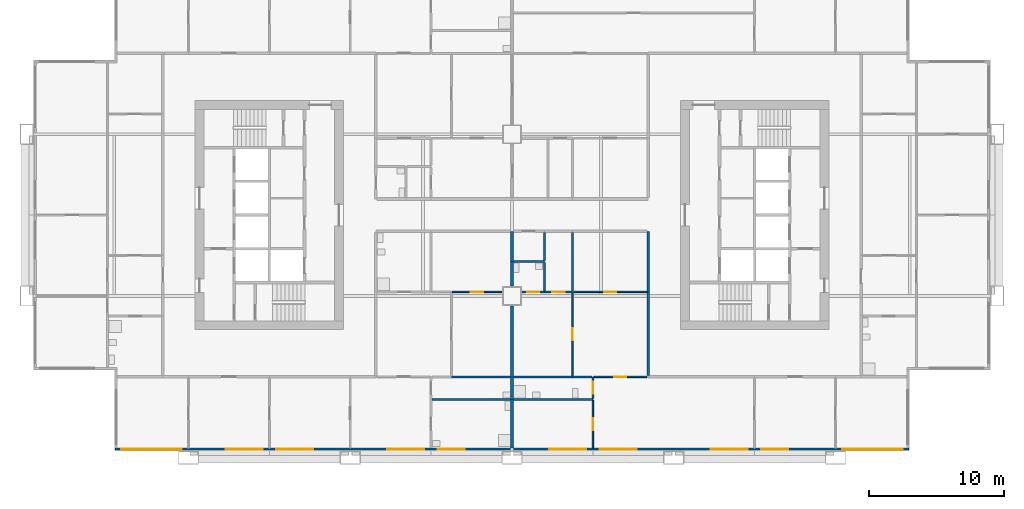
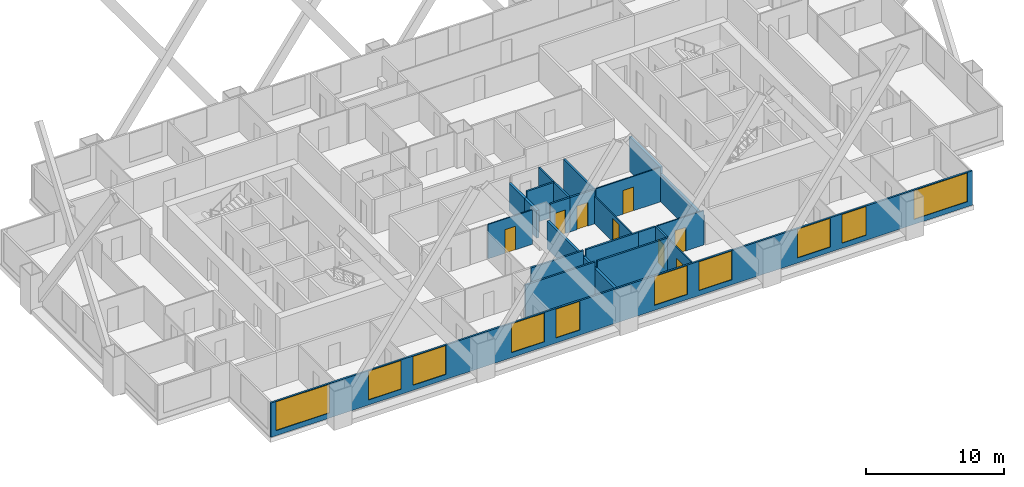
# One storey, part 5 of 11: 25 walls, 10 windows, 8 doors, 18 openings.
"""IFC4 building model written with IfcOpenShell, lengths in metres."""

from ifc_helpers import new_model, si_unit, direction, frame, frame_2d, origin, place, context, subcontext, project, spatial, rectangle, extrude, material, layer, layer_set, type_object, element, fill, save


model = new_model("IFC4")

# Units and contexts
model_context = context("Model", 3, precision=1e-05, world=origin(), true_north=direction((0.0, 1.0)))
body_context = subcontext(model_context, "Body", "Model", "MODEL_VIEW")
ifc_project = project(units=[si_unit("LENGTHUNIT", "METRE"), si_unit("AREAUNIT", "SQUARE_METRE"), si_unit("VOLUMEUNIT", "CUBIC_METRE"), si_unit("PLANEANGLEUNIT", "RADIAN"), si_unit("MASSUNIT", "GRAM", prefix="KILO")], contexts=[model_context])

# Site, building, storey
site_placement = place(None, origin())
site = spatial("IfcSite", under=ifc_project, at=site_placement, CompositionType="ELEMENT")
building_placement = place(site_placement, origin())
building = spatial("IfcBuilding", under=site, at=building_placement, Name="Kitamizu Gate Tower and Museum", CompositionType="ELEMENT")
storey_placement = place(building_placement, frame((0.0, 0.0, 96.60009765625)))
storey = spatial("IfcBuildingStorey", under=building, at=storey_placement, Name="L24", CompositionType="ELEMENT", Elevation=96.60009765625)

# Wall, opening, door
ifc_material_1 = material(Name="Gypsum board on galvanised stud")
ifc_layer_1 = layer(ifc_material_1, 0.10009765625)
ifc_layer_set_1 = layer_set([ifc_layer_1], Name="Gypsum board on galvanised stud")
wall_type_1 = type_object("IfcWallType", Name="Partition 100 NOT RATED", PredefinedType="PARTITIONING", material=ifc_layer_set_1)
wall_1_placement = place(storey_placement, frame((35.25, 24.300048828125, 0.0), z_axis=(0.0, 0.0, 1.0), x_axis=(-1.0, 0.0, 0.0)))
wall_1 = element("IfcWall", 1, at=wall_1_placement, inside=storey, type_object=wall_type_1, Name="Partition L24-022", PredefinedType="PARTITIONING", context=body_context, shape_type="SweptSolid", body=[
    extrude(rectangle(XDim=3.699951171875, YDim=0.10009765625, at=frame_2d((1.85009765625, 0.0))), origin(), (0.0, 0.0, 1.0), 3.0498046875),
])
opening_1_placement = place(wall_1_placement, frame((1.39990234375, 0.0, 0.0)))
opening_1 = element("IfcOpeningElement", 2, at=opening_1_placement, cuts=wall_1, Name="Opening L24-010", PredefinedType="OPENING", context=body_context, shape_type="SweptSolid", body=[
    extrude(rectangle(XDim=0.89990234375, YDim=2.10009765625, at=frame_2d((0.449951171875, 1.050048828125))), frame((0.0, 0.06005859375, 0.0), z_axis=(0.0, -1.0, 0.0), x_axis=(1.0, 0.0, 0.0)), (0.0, 0.0, 1.0), 0.1201171875),
])
ifc_material_2 = material(Name="Timber door set", Category="wood")
door_type_1 = type_object("IfcDoorType", Name="Room door 900", OperationType="NOTDEFINED", PredefinedType="DOOR", material=ifc_material_2)
door_1_placement = place(opening_1_placement, frame((0.89990234375, 0.0, 0.0), x_axis=(-1.0, 0.0, 0.0)))
door_1 = element("IfcDoor", 3, at=door_1_placement, inside=storey, type_object=door_type_1, Name="Door L24-010", OperationType="SINGLE_SWING_LEFT", OverallHeight=2.10009765625, OverallWidth=0.89990234375, PredefinedType="DOOR", context=body_context, shape_type="SweptSolid", body=[
    extrude(rectangle(XDim=0.89990234375, YDim=2.10009765625, at=frame_2d((0.449951171875, 1.050048828125))), frame((0.0, 0.02490234375, 0.0), z_axis=(0.0, -1.0, 0.0), x_axis=(1.0, 0.0, 0.0)), (0.0, 0.0, 1.0), 0.050048828125),
])
fill(opening_1, door_1)

wall_2_placement = place(storey_placement, frame((42.0, 12.719970703125, 0.0), z_axis=(0.0, 0.0, 1.0), x_axis=(0.0, 1.0, 0.0)))
wall_2 = element("IfcWall", 4, at=wall_2_placement, inside=storey, type_object=wall_type_1, Name="Partition L24-050", PredefinedType="PARTITIONING", context=body_context, shape_type="SweptSolid", body=[
    extrude(rectangle(XDim=3.525146484375, YDim=0.10009765625, at=frame_2d((1.7626953125, 0.0))), origin(), (0.0, 0.0, 1.0), 3.0498046875),
])
opening_2_placement = place(wall_2_placement, frame((1.3125, 0.0, 0.0)))
opening_2 = element("IfcOpeningElement", 5, at=opening_2_placement, cuts=wall_2, Name="Opening L24-022", PredefinedType="OPENING", context=body_context, shape_type="SweptSolid", body=[
    extrude(rectangle(XDim=0.89990234375, YDim=2.10009765625, at=frame_2d((0.449951171875, 1.050048828125))), frame((0.0, 0.06005859375, 0.0), z_axis=(0.0, -1.0, 0.0), x_axis=(1.0, 0.0, 0.0)), (0.0, 0.0, 1.0), 0.1201171875),
])
door_2_placement = place(opening_2_placement, origin())
door_2 = element("IfcDoor", 6, at=door_2_placement, inside=storey, type_object=door_type_1, Name="Door L24-022", OperationType="SINGLE_SWING_LEFT", OverallHeight=2.10009765625, OverallWidth=0.89990234375, PredefinedType="DOOR", context=body_context, shape_type="SweptSolid", body=[
    extrude(rectangle(XDim=0.89990234375, YDim=2.10009765625, at=frame_2d((0.449951171875, 1.050048828125))), frame((0.0, 0.02490234375, 0.0), z_axis=(0.0, -1.0, 0.0), x_axis=(1.0, 0.0, 0.0)), (0.0, 0.0, 1.0), 0.050048828125),
])
fill(opening_2, door_2)

wall_3_placement = place(storey_placement, frame((46.0, 18.0, 0.0), z_axis=(0.0, 0.0, 1.0), x_axis=(-1.0, 0.0, 0.0)))
wall_3 = element("IfcWall", 7, at=wall_3_placement, inside=storey, type_object=wall_type_1, Name="Partition L24-055", PredefinedType="PARTITIONING", context=body_context, shape_type="SweptSolid", body=[
    extrude(rectangle(XDim=3.925048828125, YDim=0.10009765625, at=frame_2d((1.96240234375, 0.0))), origin(), (0.0, 0.0, 1.0), 3.0498046875),
])
opening_3_placement = place(wall_3_placement, frame((1.512451171875, 0.0, 0.0)))
opening_3 = element("IfcOpeningElement", 8, at=opening_3_placement, cuts=wall_3, Name="Opening L24-023", PredefinedType="OPENING", context=body_context, shape_type="SweptSolid", body=[
    extrude(rectangle(XDim=0.89990234375, YDim=2.10009765625, at=frame_2d((0.449951171875, 1.050048828125))), frame((0.0, 0.06005859375, 0.0), z_axis=(0.0, -1.0, 0.0), x_axis=(1.0, 0.0, 0.0)), (0.0, 0.0, 1.0), 0.1201171875),
])
door_3_placement = place(opening_3_placement, frame((0.89990234375, 0.0, 0.0), x_axis=(-1.0, 0.0, 0.0)))
door_3 = element("IfcDoor", 9, at=door_3_placement, inside=storey, type_object=door_type_1, Name="Door L24-023", OperationType="SINGLE_SWING_LEFT", OverallHeight=2.10009765625, OverallWidth=0.89990234375, PredefinedType="DOOR", context=body_context, shape_type="SweptSolid", body=[
    extrude(rectangle(XDim=0.89990234375, YDim=2.10009765625, at=frame_2d((0.449951171875, 1.050048828125))), frame((0.0, 0.02490234375, 0.0), z_axis=(0.0, -1.0, 0.0), x_axis=(1.0, 0.0, 0.0)), (0.0, 0.0, 1.0), 0.050048828125),
])
fill(opening_3, door_3)

wall_4_placement = place(storey_placement, frame((40.5, 18.074951171875, 0.0), z_axis=(0.0, 0.0, 1.0), x_axis=(0.0, 1.0, 0.0)))
wall_4 = element("IfcWall", 10, at=wall_4_placement, inside=storey, type_object=wall_type_1, Name="Partition L24-061", PredefinedType="PARTITIONING", context=body_context, shape_type="SweptSolid", body=[
    extrude(rectangle(XDim=6.150146484375, YDim=0.10009765625, at=frame_2d((3.0751953125, 0.0))), origin(), (0.0, 0.0, 1.0), 2.449951171875),
])
opening_4_placement = place(wall_4_placement, frame((2.625, 0.0, 0.0)))
opening_4 = element("IfcOpeningElement", 11, at=opening_4_placement, cuts=wall_4, Name="Opening L24-024", PredefinedType="OPENING", context=body_context, shape_type="SweptSolid", body=[
    extrude(rectangle(XDim=0.89990234375, YDim=2.10009765625, at=frame_2d((0.449951171875, 1.050048828125))), frame((0.0, 0.06005859375, 0.0), z_axis=(0.0, -1.0, 0.0), x_axis=(1.0, 0.0, 0.0)), (0.0, 0.0, 1.0), 0.1201171875),
])
door_4_placement = place(opening_4_placement, origin())
door_4 = element("IfcDoor", 12, at=door_4_placement, inside=storey, type_object=door_type_1, Name="Door L24-024", OperationType="SINGLE_SWING_LEFT", OverallHeight=2.10009765625, OverallWidth=0.89990234375, PredefinedType="DOOR", context=body_context, shape_type="SweptSolid", body=[
    extrude(rectangle(XDim=0.89990234375, YDim=2.10009765625, at=frame_2d((0.449951171875, 1.050048828125))), frame((0.0, 0.02490234375, 0.0), z_axis=(0.0, -1.0, 0.0), x_axis=(1.0, 0.0, 0.0)), (0.0, 0.0, 1.0), 0.050048828125),
])
fill(opening_4, door_4)

wall_5_placement = place(storey_placement, frame((46.0, 24.300048828125, 0.0), z_axis=(0.0, 0.0, 1.0), x_axis=(-1.0, 0.0, 0.0)))
wall_5 = element("IfcWall", 13, at=wall_5_placement, inside=storey, type_object=wall_type_1, Name="Partition L24-064", PredefinedType="PARTITIONING", context=body_context, shape_type="SweptSolid", body=[
    extrude(rectangle(XDim=5.425048828125, YDim=0.10009765625, at=frame_2d((2.71240234375, 0.0))), origin(), (0.0, 0.0, 1.0), 3.0498046875),
])
opening_5_placement = place(wall_5_placement, frame((2.262451171875, 0.0, 0.0)))
opening_5 = element("IfcOpeningElement", 14, at=opening_5_placement, cuts=wall_5, Name="Opening L24-027", PredefinedType="OPENING", context=body_context, shape_type="SweptSolid", body=[
    extrude(rectangle(XDim=0.89990234375, YDim=2.10009765625, at=frame_2d((0.449951171875, 1.050048828125))), frame((0.0, 0.06005859375, 0.0), z_axis=(0.0, -1.0, 0.0), x_axis=(1.0, 0.0, 0.0)), (0.0, 0.0, 1.0), 0.1201171875),
])
door_5_placement = place(opening_5_placement, frame((0.89990234375, 0.0, 0.0), x_axis=(-1.0, 0.0, 0.0)))
door_5 = element("IfcDoor", 15, at=door_5_placement, inside=storey, type_object=door_type_1, Name="Door L24-027", OperationType="SINGLE_SWING_LEFT", OverallHeight=2.10009765625, OverallWidth=0.89990234375, PredefinedType="DOOR", context=body_context, shape_type="SweptSolid", body=[
    extrude(rectangle(XDim=0.89990234375, YDim=2.10009765625, at=frame_2d((0.449951171875, 1.050048828125))), frame((0.0, 0.02490234375, 0.0), z_axis=(0.0, -1.0, 0.0), x_axis=(1.0, 0.0, 0.0)), (0.0, 0.0, 1.0), 0.050048828125),
])
fill(opening_5, door_5)

# Walls
ifc_material_3 = material(Name="Gypsum board on galvanised stud")
ifc_layer_2 = layer(ifc_material_3, 0.14990234375)
ifc_layer_set_2 = layer_set([ifc_layer_2], Name="Gypsum board on galvanised stud")
wall_type_2 = type_object("IfcWallType", Name="Partition 150", PredefinedType="PARTITIONING", material=ifc_layer_set_2)
wall_6_placement = place(storey_placement, frame((35.89990234375, 16.320068359375, 0.0), z_axis=(0.0, 0.0, 1.0), x_axis=(-1.0, 0.0, 0.0)))
element("IfcWall", 16, at=wall_6_placement, inside=storey, type_object=wall_type_2, Name="Partition L24-012", PredefinedType="PARTITIONING", context=body_context, shape_type="SweptSolid", body=[
    extrude(rectangle(XDim=5.824951171875, YDim=0.14990234375, at=frame_2d((2.91259765625, 0.0))), origin(), (0.0, 0.0, 1.0), 3.0498046875),
])
wall_7_placement = place(storey_placement, frame((35.89990234375, 18.0, 0.0), z_axis=(0.0, 0.0, 1.0), x_axis=(-1.0, 0.0, 0.0)))
element("IfcWall", 17, at=wall_7_placement, inside=storey, type_object=wall_type_2, Name="Partition L24-015", PredefinedType="PARTITIONING", context=body_context, shape_type="SweptSolid", body=[
    extrude(rectangle(XDim=4.39990234375, YDim=0.14990234375, at=frame_2d((2.199951171875, 0.0))), origin(), (0.0, 0.0, 1.0), 3.0498046875),
])
wall_8_placement = place(storey_placement, frame((42.0, 16.320068359375, 0.0), z_axis=(0.0, 0.0, 1.0), x_axis=(-1.0, 0.0, 0.0)))
element("IfcWall", 18, at=wall_8_placement, inside=storey, type_object=wall_type_2, Name="Partition L24-049", PredefinedType="PARTITIONING", context=body_context, shape_type="SweptSolid", body=[
    extrude(rectangle(XDim=5.89990234375, YDim=0.14990234375, at=frame_2d((2.949951171875, 0.0))), origin(), (0.0, 0.0, 1.0), 3.0498046875),
])

# Wall, opening, door
wall_9_placement = place(storey_placement, frame((42.0, 16.39501953125, 0.0), z_axis=(0.0, 0.0, 1.0), x_axis=(0.0, 1.0, 0.0)))
wall_9 = element("IfcWall", 19, at=wall_9_placement, inside=storey, type_object=wall_type_2, Name="Partition L24-051", PredefinedType="PARTITIONING", context=body_context, shape_type="SweptSolid", body=[
    extrude(rectangle(XDim=1.60498046875, YDim=0.14990234375, at=frame_2d((0.802490234375, 0.0))), origin(), (0.0, 0.0, 1.0), 3.0498046875),
])
opening_6_placement = place(wall_9_placement, frame((0.3525390625, 0.0, 0.0)))
opening_6 = element("IfcOpeningElement", 20, at=opening_6_placement, cuts=wall_9, Name="Opening L24-021", PredefinedType="OPENING", context=body_context, shape_type="SweptSolid", body=[
    extrude(rectangle(XDim=0.89990234375, YDim=2.10009765625, at=frame_2d((0.449951171875, 1.050048828125))), frame((0.0, 0.0849609375, 0.0), z_axis=(0.0, -1.0, 0.0), x_axis=(1.0, 0.0, 0.0)), (0.0, 0.0, 1.0), 0.169921875),
])
ifc_material_4 = material(Name="Timber door set", Category="wood")
door_type_2 = type_object("IfcDoorType", Name="Bathroom door 900", OperationType="NOTDEFINED", PredefinedType="DOOR", material=ifc_material_4)
door_6_placement = place(opening_6_placement, origin())
door_6 = element("IfcDoor", 21, at=door_6_placement, inside=storey, type_object=door_type_2, Name="Bathroom door L24-021", OperationType="SINGLE_SWING_RIGHT", OverallHeight=2.10009765625, OverallWidth=0.89990234375, PredefinedType="DOOR", context=body_context, shape_type="SweptSolid", body=[
    extrude(rectangle(XDim=0.89990234375, YDim=2.10009765625, at=frame_2d((0.449951171875, 1.050048828125))), frame((0.0, 0.02490234375, 0.0), z_axis=(0.0, -1.0, 0.0), x_axis=(1.0, 0.0, 0.0)), (0.0, 0.0, 1.0), 0.050048828125),
])
fill(opening_6, door_6)

# Walls
wall_10_placement = place(storey_placement, frame((40.5, 18.0, 0.0), z_axis=(0.0, 0.0, 1.0), x_axis=(-1.0, 0.0, 0.0)))
element("IfcWall", 22, at=wall_10_placement, inside=storey, type_object=wall_type_2, Name="Partition L24-052", PredefinedType="PARTITIONING", context=body_context, shape_type="SweptSolid", body=[
    extrude(rectangle(XDim=4.39990234375, YDim=0.14990234375, at=frame_2d((2.199951171875, 0.0))), origin(), (0.0, 0.0, 1.0), 3.0498046875),
])
wall_11_placement = place(storey_placement, frame((41.925048828125, 18.0, 0.0), z_axis=(0.0, 0.0, 1.0), x_axis=(-1.0, 0.0, 0.0)))
element("IfcWall", 23, at=wall_11_placement, inside=storey, type_object=wall_type_2, Name="Partition L24-053", PredefinedType="PARTITIONING", context=body_context, shape_type="SweptSolid", body=[
    extrude(rectangle(XDim=1.425048828125, YDim=0.14990234375, at=frame_2d((0.71240234375, 0.0))), origin(), (0.0, 0.0, 1.0), 3.0498046875),
])

# Wall, opening, door
wall_12_placement = place(storey_placement, frame((38.39990234375, 24.300048828125, 0.0), z_axis=(0.0, 0.0, 1.0), x_axis=(-1.0, 0.0, 0.0)))
wall_12 = element("IfcWall", 24, at=wall_12_placement, inside=storey, type_object=wall_type_2, Name="Partition L24-062", PredefinedType="PARTITIONING", context=body_context, shape_type="SweptSolid", body=[
    extrude(rectangle(XDim=1.64990234375, YDim=0.14990234375, at=frame_2d((0.824951171875, 0.0))), origin(), (0.0, 0.0, 1.0), 3.0498046875),
])
opening_7_placement = place(wall_12_placement, frame((0.375, 0.0, 0.0)))
opening_7 = element("IfcOpeningElement", 25, at=opening_7_placement, cuts=wall_12, Name="Opening L24-025", PredefinedType="OPENING", context=body_context, shape_type="SweptSolid", body=[
    extrude(rectangle(XDim=0.89990234375, YDim=2.10009765625, at=frame_2d((0.449951171875, 1.050048828125))), frame((0.0, 0.0849609375, 0.0), z_axis=(0.0, -1.0, 0.0), x_axis=(1.0, 0.0, 0.0)), (0.0, 0.0, 1.0), 0.169921875),
])
door_7_placement = place(opening_7_placement, frame((0.89990234375, 0.0, 0.0), x_axis=(-1.0, 0.0, 0.0)))
door_7 = element("IfcDoor", 26, at=door_7_placement, inside=storey, type_object=door_type_2, Name="Bathroom door L24-025", OperationType="SINGLE_SWING_LEFT", OverallHeight=2.10009765625, OverallWidth=0.89990234375, PredefinedType="DOOR", context=body_context, shape_type="SweptSolid", body=[
    extrude(rectangle(XDim=0.89990234375, YDim=2.10009765625, at=frame_2d((0.449951171875, 1.050048828125))), frame((0.0, 0.02490234375, 0.0), z_axis=(0.0, -1.0, 0.0), x_axis=(1.0, 0.0, 0.0)), (0.0, 0.0, 1.0), 0.050048828125),
])
fill(opening_7, door_7)

wall_13_placement = place(storey_placement, frame((40.5, 24.300048828125, 0.0), z_axis=(0.0, 0.0, 1.0), x_axis=(-1.0, 0.0, 0.0)))
wall_13 = element("IfcWall", 27, at=wall_13_placement, inside=storey, type_object=wall_type_2, Name="Partition L24-063", PredefinedType="PARTITIONING", context=body_context, shape_type="SweptSolid", body=[
    extrude(rectangle(XDim=2.10009765625, YDim=0.14990234375, at=frame_2d((1.050048828125, 0.0))), origin(), (0.0, 0.0, 1.0), 3.0498046875),
])
opening_8_placement = place(wall_13_placement, frame((0.60009765625, 0.0, 0.0)))
opening_8 = element("IfcOpeningElement", 28, at=opening_8_placement, cuts=wall_13, Name="Opening L24-026", PredefinedType="OPENING", context=body_context, shape_type="SweptSolid", body=[
    extrude(rectangle(XDim=0.89990234375, YDim=2.10009765625, at=frame_2d((0.449951171875, 1.050048828125))), frame((0.0, 0.0849609375, 0.0), z_axis=(0.0, -1.0, 0.0), x_axis=(1.0, 0.0, 0.0)), (0.0, 0.0, 1.0), 0.169921875),
])
door_8_placement = place(opening_8_placement, frame((0.89990234375, 0.0, 0.0), x_axis=(-1.0, 0.0, 0.0)))
door_8 = element("IfcDoor", 29, at=door_8_placement, inside=storey, type_object=door_type_2, Name="Bathroom door L24-026", OperationType="SINGLE_SWING_RIGHT", OverallHeight=2.10009765625, OverallWidth=0.89990234375, PredefinedType="DOOR", context=body_context, shape_type="SweptSolid", body=[
    extrude(rectangle(XDim=0.89990234375, YDim=2.10009765625, at=frame_2d((0.449951171875, 1.050048828125))), frame((0.0, 0.02490234375, 0.0), z_axis=(0.0, -1.0, 0.0), x_axis=(1.0, 0.0, 0.0)), (0.0, 0.0, 1.0), 0.050048828125),
])
fill(opening_8, door_8)

# Walls
wall_14_placement = place(storey_placement, frame((38.39990234375, 26.550048828125, 0.0), z_axis=(0.0, 0.0, 1.0), x_axis=(-1.0, 0.0, 0.0)))
element("IfcWall", 30, at=wall_14_placement, inside=storey, type_object=wall_type_2, Name="Partition L24-066", PredefinedType="PARTITIONING", context=body_context, shape_type="SweptSolid", body=[
    extrude(rectangle(XDim=2.2998046875, YDim=0.14990234375, at=frame_2d((1.14990234375, 0.0))), origin(), (0.0, 0.0, 1.0), 3.0498046875),
])
wall_15_placement = place(storey_placement, frame((38.39990234375, 24.375, 0.0), z_axis=(0.0, 0.0, 1.0), x_axis=(0.0, 1.0, 0.0)))
element("IfcWall", 31, at=wall_15_placement, inside=storey, type_object=wall_type_2, Name="Partition L24-067", PredefinedType="PARTITIONING", context=body_context, shape_type="SweptSolid", body=[
    extrude(rectangle(XDim=2.10009765625, YDim=0.14990234375, at=frame_2d((1.050048828125, 0.0))), origin(), (0.0, 0.0, 1.0), 3.0498046875),
])
wall_16_placement = place(storey_placement, frame((38.39990234375, 26.625, 0.0), z_axis=(0.0, 0.0, 1.0), x_axis=(0.0, 1.0, 0.0)))
element("IfcWall", 32, at=wall_16_placement, inside=storey, type_object=wall_type_2, Name="Partition L24-068", PredefinedType="PARTITIONING", context=body_context, shape_type="SweptSolid", body=[
    extrude(rectangle(XDim=2.074951171875, YDim=0.14990234375, at=frame_2d((1.03759765625, 0.0))), origin(), (0.0, 0.0, 1.0), 3.0498046875),
])
wall_17_placement = place(storey_placement, frame((40.5, 24.375, 0.0), z_axis=(0.0, 0.0, 1.0), x_axis=(0.0, 1.0, 0.0)))
element("IfcWall", 33, at=wall_17_placement, inside=storey, type_object=wall_type_2, Name="Partition L24-070", PredefinedType="PARTITIONING", context=body_context, shape_type="SweptSolid", body=[
    extrude(rectangle(XDim=4.324951171875, YDim=0.14990234375, at=frame_2d((2.16259765625, 0.0))), origin(), (0.0, 0.0, 1.0), 3.0498046875),
])
ifc_material_5 = material(Name="Gypsum board on galvanised stud")
ifc_layer_3 = layer(ifc_material_5, 0.199951171875)
ifc_layer_set_3 = layer_set([ifc_layer_3], Name="Gypsum board on galvanised stud")
wall_type_3 = type_object("IfcWallType", Name="Partition 200", PredefinedType="PARTITIONING", material=ifc_layer_set_3)
wall_18_placement = place(storey_placement, frame((36.0, 12.719970703125, 0.0), z_axis=(0.0, 0.0, 1.0), x_axis=(0.0, 1.0, 0.0)))
element("IfcWall", 34, at=wall_18_placement, inside=storey, type_object=wall_type_3, Name="Partition L24-013", PredefinedType="PARTITIONING", context=body_context, shape_type="SweptSolid", body=[
    extrude(rectangle(XDim=3.60009765625, YDim=0.199951171875, at=frame_2d((1.800048828125, 0.0))), origin(), (0.0, 0.0, 1.0), 2.449951171875),
])
wall_19_placement = place(storey_placement, frame((36.0, 16.320068359375, 0.0), z_axis=(0.0, 0.0, 1.0), x_axis=(0.0, 1.0, 0.0)))
element("IfcWall", 35, at=wall_19_placement, inside=storey, type_object=wall_type_3, Name="Partition L24-016", PredefinedType="PARTITIONING", context=body_context, shape_type="SweptSolid", body=[
    extrude(rectangle(XDim=1.679931640625, YDim=0.199951171875, at=frame_2d((0.83984375, 0.0))), origin(), (0.0, 0.0, 1.0), 2.449951171875),
])
wall_20_placement = place(storey_placement, frame((36.0, 18.0, 0.0), z_axis=(0.0, 0.0, 1.0), x_axis=(0.0, 1.0, 0.0)))
element("IfcWall", 36, at=wall_20_placement, inside=storey, type_object=wall_type_3, Name="Partition L24-023", PredefinedType="PARTITIONING", context=body_context, shape_type="SweptSolid", body=[
    extrude(rectangle(XDim=5.25, YDim=0.199951171875, at=frame_2d((2.625, 0.0))), origin(), (0.0, 0.0, 1.0), 2.449951171875),
])
wall_21_placement = place(storey_placement, frame((36.0, 24.75, 0.0), z_axis=(0.0, 0.0, 1.0), x_axis=(0.0, 1.0, 0.0)))
element("IfcWall", 37, at=wall_21_placement, inside=storey, type_object=wall_type_3, Name="Partition L24-027", PredefinedType="PARTITIONING", context=body_context, shape_type="SweptSolid", body=[
    extrude(rectangle(XDim=1.800048828125, YDim=0.199951171875, at=frame_2d((0.89990234375, 0.0))), origin(), (0.0, 0.0, 1.0), 2.449951171875),
])
wall_22_placement = place(storey_placement, frame((36.0, 26.550048828125, 0.0), z_axis=(0.0, 0.0, 1.0), x_axis=(0.0, 1.0, 0.0)))
element("IfcWall", 38, at=wall_22_placement, inside=storey, type_object=wall_type_3, Name="Partition L24-028", PredefinedType="PARTITIONING", context=body_context, shape_type="SweptSolid", body=[
    extrude(rectangle(XDim=2.25, YDim=0.199951171875, at=frame_2d((1.125, 0.0))), origin(), (0.0, 0.0, 1.0), 2.449951171875),
])
wall_23_placement = place(storey_placement, frame((46.10009765625, 18.10009765625, 0.0), z_axis=(0.0, 0.0, 1.0), x_axis=(0.0, 1.0, 0.0)))
element("IfcWall", 39, at=wall_23_placement, inside=storey, type_object=wall_type_3, Name="Partition L24-065", PredefinedType="PARTITIONING", context=body_context, shape_type="SweptSolid", body=[
    extrude(rectangle(XDim=6.199951171875, YDim=0.199951171875, at=frame_2d((3.10009765625, 0.0))), origin(), (0.0, 0.0, 1.0), 2.449951171875),
])
wall_24_placement = place(storey_placement, frame((46.10009765625, 24.300048828125, 0.0), z_axis=(0.0, 0.0, 1.0), x_axis=(0.0, 1.0, 0.0)))
element("IfcWall", 40, at=wall_24_placement, inside=storey, type_object=wall_type_3, Name="Partition L24-072", PredefinedType="PARTITIONING", context=body_context, shape_type="SweptSolid", body=[
    extrude(rectangle(XDim=4.5, YDim=0.199951171875, at=frame_2d((2.25, 0.0))), origin(), (0.0, 0.0, 1.0), 3.0498046875),
])

# Wall, openings, windows
ifc_material_6 = material(Name="Bronze anodised aluminium frame with insulated spandrel and tinted glass", Category="aluminium")
ifc_layer_4 = layer(ifc_material_6, 0.14990234375)
ifc_layer_set_4 = layer_set([ifc_layer_4], Name="Bronze anodised aluminium frame with insulated spandrel and tinted glass")
wall_type_4 = type_object("IfcWallType", Name="WINDOW WALL 150 BRONZE FRAME EI 30", PredefinedType="ELEMENTEDWALL", material=ifc_layer_set_4)
wall_25_placement = place(storey_placement, frame((6.56005859375, 12.635009765625, 0.0), z_axis=(0.0, 0.0, 1.0), x_axis=(1.0, 0.0, 0.0)))
wall_25 = element("IfcWall", 41, at=wall_25_placement, inside=storey, type_object=wall_type_4, Name="Window wall south L24", PredefinedType="ELEMENTEDWALL", context=body_context, shape_type="SweptSolid", body=[
    extrude(rectangle(XDim=58.8798828125, YDim=0.14990234375, at=frame_2d((29.43994140625, 0.0))), origin(), (0.0, 0.0, 1.0), 3.0498046875),
])
opening_9_placement = place(wall_25_placement, frame((0.43994140625, 0.0, 0.449951171875)))
opening_9 = element("IfcOpeningElement", 42, at=opening_9_placement, cuts=wall_25, Name="Opening W15", PredefinedType="OPENING", context=body_context, shape_type="SweptSolid", body=[
    extrude(rectangle(XDim=4.5, YDim=2.550048828125, at=frame_2d((2.25, 1.27490234375))), frame((0.0, 0.0849609375, 0.0), z_axis=(0.0, -1.0, 0.0), x_axis=(1.0, 0.0, 0.0)), (0.0, 0.0, 1.0), 0.169921875),
])
opening_10_placement = place(wall_25_placement, frame((8.18994140625, 0.0, 0.449951171875)))
opening_10 = element("IfcOpeningElement", 43, at=opening_10_placement, cuts=wall_25, Name="Opening W32", PredefinedType="OPENING", context=body_context, shape_type="SweptSolid", body=[
    extrude(rectangle(XDim=2.75, YDim=2.550048828125, at=frame_2d((1.375, 1.27490234375))), frame((0.0, 0.0849609375, 0.0), z_axis=(0.0, -1.0, 0.0), x_axis=(1.0, 0.0, 0.0)), (0.0, 0.0, 1.0), 0.169921875),
])
opening_11_placement = place(wall_25_placement, frame((11.93994140625, 0.0, 0.449951171875)))
opening_11 = element("IfcOpeningElement", 44, at=opening_11_placement, cuts=wall_25, Name="Opening W32", PredefinedType="OPENING", context=body_context, shape_type="SweptSolid", body=[
    extrude(rectangle(XDim=2.75, YDim=2.550048828125, at=frame_2d((1.375, 1.27490234375))), frame((0.0, 0.0849609375, 0.0), z_axis=(0.0, -1.0, 0.0), x_axis=(1.0, 0.0, 0.0)), (0.0, 0.0, 1.0), 0.169921875),
])
opening_12_placement = place(wall_25_placement, frame((20.18994140625, 0.0, 0.449951171875)))
opening_12 = element("IfcOpeningElement", 45, at=opening_12_placement, cuts=wall_25, Name="Opening W32", PredefinedType="OPENING", context=body_context, shape_type="SweptSolid", body=[
    extrude(rectangle(XDim=2.75, YDim=2.550048828125, at=frame_2d((1.375, 1.27490234375))), frame((0.0, 0.0849609375, 0.0), z_axis=(0.0, -1.0, 0.0), x_axis=(1.0, 0.0, 0.0)), (0.0, 0.0, 1.0), 0.169921875),
])
opening_13_placement = place(wall_25_placement, frame((23.93994140625, 0.0, 0.449951171875)))
opening_13 = element("IfcOpeningElement", 46, at=opening_13_placement, cuts=wall_25, Name="Opening W2", PredefinedType="OPENING", context=body_context, shape_type="SweptSolid", body=[
    extrude(rectangle(XDim=2.0, YDim=2.550048828125, at=frame_2d((1.0, 1.27490234375))), frame((0.0, 0.0849609375, 0.0), z_axis=(0.0, -1.0, 0.0), x_axis=(1.0, 0.0, 0.0)), (0.0, 0.0, 1.0), 0.169921875),
])
opening_14_placement = place(wall_25_placement, frame((32.18994140625, 0.0, 0.449951171875)))
opening_14 = element("IfcOpeningElement", 47, at=opening_14_placement, cuts=wall_25, Name="Opening W32", PredefinedType="OPENING", context=body_context, shape_type="SweptSolid", body=[
    extrude(rectangle(XDim=2.75, YDim=2.550048828125, at=frame_2d((1.375, 1.27490234375))), frame((0.0, 0.0849609375, 0.0), z_axis=(0.0, -1.0, 0.0), x_axis=(1.0, 0.0, 0.0)), (0.0, 0.0, 1.0), 0.169921875),
])
opening_15_placement = place(wall_25_placement, frame((35.93994140625, 0.0, 0.449951171875)))
opening_15 = element("IfcOpeningElement", 48, at=opening_15_placement, cuts=wall_25, Name="Opening W32", PredefinedType="OPENING", context=body_context, shape_type="SweptSolid", body=[
    extrude(rectangle(XDim=2.75, YDim=2.550048828125, at=frame_2d((1.375, 1.27490234375))), frame((0.0, 0.0849609375, 0.0), z_axis=(0.0, -1.0, 0.0), x_axis=(1.0, 0.0, 0.0)), (0.0, 0.0, 1.0), 0.169921875),
])
opening_16_placement = place(wall_25_placement, frame((44.18994140625, 0.0, 0.449951171875)))
opening_16 = element("IfcOpeningElement", 49, at=opening_16_placement, cuts=wall_25, Name="Opening W32", PredefinedType="OPENING", context=body_context, shape_type="SweptSolid", body=[
    extrude(rectangle(XDim=2.75, YDim=2.550048828125, at=frame_2d((1.375, 1.27490234375))), frame((0.0, 0.0849609375, 0.0), z_axis=(0.0, -1.0, 0.0), x_axis=(1.0, 0.0, 0.0)), (0.0, 0.0, 1.0), 0.169921875),
])
opening_17_placement = place(wall_25_placement, frame((47.93994140625, 0.0, 0.449951171875)))
opening_17 = element("IfcOpeningElement", 50, at=opening_17_placement, cuts=wall_25, Name="Opening W2", PredefinedType="OPENING", context=body_context, shape_type="SweptSolid", body=[
    extrude(rectangle(XDim=2.0, YDim=2.550048828125, at=frame_2d((1.0, 1.27490234375))), frame((0.0, 0.0849609375, 0.0), z_axis=(0.0, -1.0, 0.0), x_axis=(1.0, 0.0, 0.0)), (0.0, 0.0, 1.0), 0.169921875),
])
opening_18_placement = place(wall_25_placement, frame((53.93994140625, 0.0, 0.449951171875)))
opening_18 = element("IfcOpeningElement", 51, at=opening_18_placement, cuts=wall_25, Name="Opening W15", PredefinedType="OPENING", context=body_context, shape_type="SweptSolid", body=[
    extrude(rectangle(XDim=4.5, YDim=2.550048828125, at=frame_2d((2.25, 1.27490234375))), frame((0.0, 0.0849609375, 0.0), z_axis=(0.0, -1.0, 0.0), x_axis=(1.0, 0.0, 0.0)), (0.0, 0.0, 1.0), 0.169921875),
])
ifc_material_7 = material(Name="Bronze anodised aluminium frame, tinted triple glazing", Category="aluminium")
window_type_1 = type_object("IfcWindowType", Name="WINDOW 2000 x 2550 SILL 450", PartitioningType="SINGLE_PANEL", PredefinedType="WINDOW", material=ifc_material_7)
window_1_placement = place(opening_13_placement, origin())
window_1 = element("IfcWindow", 52, at=window_1_placement, inside=storey, type_object=window_type_1, Name="Window W2 L24", OverallHeight=2.550048828125, OverallWidth=2.0, PartitioningType="SINGLE_PANEL", PredefinedType="WINDOW", context=body_context, shape_type="SweptSolid", body=[
    extrude(rectangle(XDim=2.0, YDim=2.550048828125, at=frame_2d((1.0, 1.27490234375))), frame((0.0, 0.030029296875, 0.0), z_axis=(0.0, -1.0, 0.0), x_axis=(1.0, 0.0, 0.0)), (0.0, 0.0, 1.0), 0.06005859375),
])
fill(opening_13, window_1)
window_2_placement = place(opening_17_placement, origin())
window_2 = element("IfcWindow", 53, at=window_2_placement, inside=storey, type_object=window_type_1, Name="Window W2 L24", OverallHeight=2.550048828125, OverallWidth=2.0, PartitioningType="SINGLE_PANEL", PredefinedType="WINDOW", context=body_context, shape_type="SweptSolid", body=[
    extrude(rectangle(XDim=2.0, YDim=2.550048828125, at=frame_2d((1.0, 1.27490234375))), frame((0.0, 0.030029296875, 0.0), z_axis=(0.0, -1.0, 0.0), x_axis=(1.0, 0.0, 0.0)), (0.0, 0.0, 1.0), 0.06005859375),
])
fill(opening_17, window_2)
ifc_material_8 = material(Name="Bronze anodised aluminium frame, tinted triple glazing", Category="aluminium")
window_type_2 = type_object("IfcWindowType", Name="WINDOW 2750 x 2550 SILL 450", PartitioningType="SINGLE_PANEL", PredefinedType="WINDOW", material=ifc_material_8)
window_3_placement = place(opening_10_placement, origin())
window_3 = element("IfcWindow", 54, at=window_3_placement, inside=storey, type_object=window_type_2, Name="Window W32 L24", OverallHeight=2.550048828125, OverallWidth=2.75, PartitioningType="SINGLE_PANEL", PredefinedType="WINDOW", context=body_context, shape_type="SweptSolid", body=[
    extrude(rectangle(XDim=2.75, YDim=2.550048828125, at=frame_2d((1.375, 1.27490234375))), frame((0.0, 0.030029296875, 0.0), z_axis=(0.0, -1.0, 0.0), x_axis=(1.0, 0.0, 0.0)), (0.0, 0.0, 1.0), 0.06005859375),
])
fill(opening_10, window_3)
window_4_placement = place(opening_11_placement, origin())
window_4 = element("IfcWindow", 55, at=window_4_placement, inside=storey, type_object=window_type_2, Name="Window W32 L24", OverallHeight=2.550048828125, OverallWidth=2.75, PartitioningType="SINGLE_PANEL", PredefinedType="WINDOW", context=body_context, shape_type="SweptSolid", body=[
    extrude(rectangle(XDim=2.75, YDim=2.550048828125, at=frame_2d((1.375, 1.27490234375))), frame((0.0, 0.030029296875, 0.0), z_axis=(0.0, -1.0, 0.0), x_axis=(1.0, 0.0, 0.0)), (0.0, 0.0, 1.0), 0.06005859375),
])
fill(opening_11, window_4)
window_5_placement = place(opening_12_placement, origin())
window_5 = element("IfcWindow", 56, at=window_5_placement, inside=storey, type_object=window_type_2, Name="Window W32 L24", OverallHeight=2.550048828125, OverallWidth=2.75, PartitioningType="SINGLE_PANEL", PredefinedType="WINDOW", context=body_context, shape_type="SweptSolid", body=[
    extrude(rectangle(XDim=2.75, YDim=2.550048828125, at=frame_2d((1.375, 1.27490234375))), frame((0.0, 0.030029296875, 0.0), z_axis=(0.0, -1.0, 0.0), x_axis=(1.0, 0.0, 0.0)), (0.0, 0.0, 1.0), 0.06005859375),
])
fill(opening_12, window_5)
window_6_placement = place(opening_14_placement, origin())
window_6 = element("IfcWindow", 57, at=window_6_placement, inside=storey, type_object=window_type_2, Name="Window W32 L24", OverallHeight=2.550048828125, OverallWidth=2.75, PartitioningType="SINGLE_PANEL", PredefinedType="WINDOW", context=body_context, shape_type="SweptSolid", body=[
    extrude(rectangle(XDim=2.75, YDim=2.550048828125, at=frame_2d((1.375, 1.27490234375))), frame((0.0, 0.030029296875, 0.0), z_axis=(0.0, -1.0, 0.0), x_axis=(1.0, 0.0, 0.0)), (0.0, 0.0, 1.0), 0.06005859375),
])
fill(opening_14, window_6)
window_7_placement = place(opening_15_placement, origin())
window_7 = element("IfcWindow", 58, at=window_7_placement, inside=storey, type_object=window_type_2, Name="Window W32 L24", OverallHeight=2.550048828125, OverallWidth=2.75, PartitioningType="SINGLE_PANEL", PredefinedType="WINDOW", context=body_context, shape_type="SweptSolid", body=[
    extrude(rectangle(XDim=2.75, YDim=2.550048828125, at=frame_2d((1.375, 1.27490234375))), frame((0.0, 0.030029296875, 0.0), z_axis=(0.0, -1.0, 0.0), x_axis=(1.0, 0.0, 0.0)), (0.0, 0.0, 1.0), 0.06005859375),
])
fill(opening_15, window_7)
window_8_placement = place(opening_16_placement, origin())
window_8 = element("IfcWindow", 59, at=window_8_placement, inside=storey, type_object=window_type_2, Name="Window W32 L24", OverallHeight=2.550048828125, OverallWidth=2.75, PartitioningType="SINGLE_PANEL", PredefinedType="WINDOW", context=body_context, shape_type="SweptSolid", body=[
    extrude(rectangle(XDim=2.75, YDim=2.550048828125, at=frame_2d((1.375, 1.27490234375))), frame((0.0, 0.030029296875, 0.0), z_axis=(0.0, -1.0, 0.0), x_axis=(1.0, 0.0, 0.0)), (0.0, 0.0, 1.0), 0.06005859375),
])
fill(opening_16, window_8)
ifc_material_9 = material(Name="Bronze anodised aluminium frame, tinted triple glazing", Category="aluminium")
window_type_3 = type_object("IfcWindowType", Name="WINDOW 4500 x 2550 SILL 450", PartitioningType="SINGLE_PANEL", PredefinedType="WINDOW", material=ifc_material_9)
window_9_placement = place(opening_9_placement, origin())
window_9 = element("IfcWindow", 60, at=window_9_placement, inside=storey, type_object=window_type_3, Name="Window W15 L24", OverallHeight=2.550048828125, OverallWidth=4.5, PartitioningType="SINGLE_PANEL", PredefinedType="WINDOW", context=body_context, shape_type="SweptSolid", body=[
    extrude(rectangle(XDim=4.5, YDim=2.550048828125, at=frame_2d((2.25, 1.27490234375))), frame((0.0, 0.030029296875, 0.0), z_axis=(0.0, -1.0, 0.0), x_axis=(1.0, 0.0, 0.0)), (0.0, 0.0, 1.0), 0.06005859375),
])
fill(opening_9, window_9)
window_10_placement = place(opening_18_placement, origin())
window_10 = element("IfcWindow", 61, at=window_10_placement, inside=storey, type_object=window_type_3, Name="Window W15 L24", OverallHeight=2.550048828125, OverallWidth=4.5, PartitioningType="SINGLE_PANEL", PredefinedType="WINDOW", context=body_context, shape_type="SweptSolid", body=[
    extrude(rectangle(XDim=4.5, YDim=2.550048828125, at=frame_2d((2.25, 1.27490234375))), frame((0.0, 0.030029296875, 0.0), z_axis=(0.0, -1.0, 0.0), x_axis=(1.0, 0.0, 0.0)), (0.0, 0.0, 1.0), 0.06005859375),
])
fill(opening_18, window_10)

save(model, "model.ifc")
